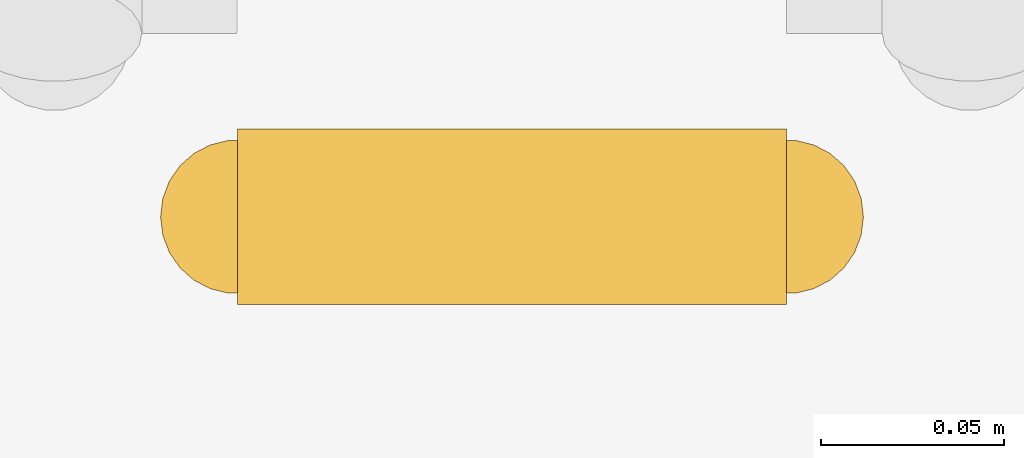
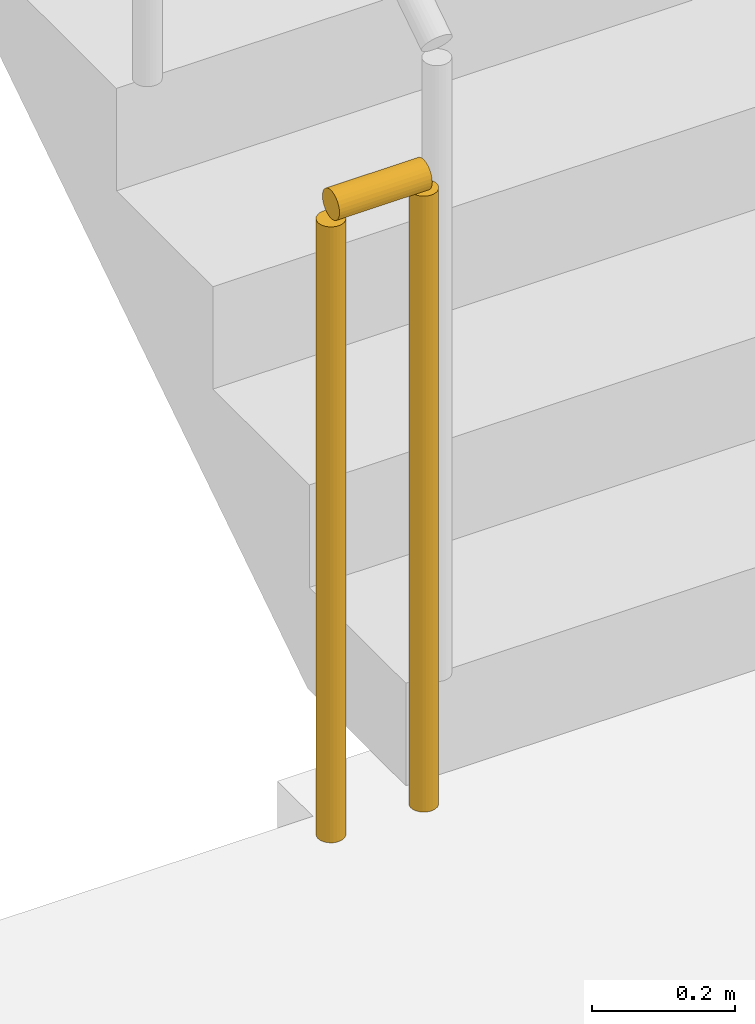
# One storey, part 15 of 20: 1 railing.
"""IFC4 building model written with IfcOpenShell, lengths in metres."""

from ifc_helpers import new_model, si_unit, direction, frame, origin, origin_2d, place, context, subcontext, project, spatial, circle, extrude, material, type_object, element, save


model = new_model("IFC4")

# Units and contexts
model_context = context("Model", 3, precision=1e-05, world=origin(), true_north=direction((0.0, 1.0)))
body_context = subcontext(model_context, "Body", "Model", "MODEL_VIEW")
ifc_project = project(units=[si_unit("LENGTHUNIT", "METRE"), si_unit("AREAUNIT", "SQUARE_METRE"), si_unit("VOLUMEUNIT", "CUBIC_METRE"), si_unit("PLANEANGLEUNIT", "RADIAN"), si_unit("MASSUNIT", "GRAM", prefix="KILO")], contexts=[model_context])

# Site, building, storey
site_placement = place(None, origin())
site = spatial("IfcSite", under=ifc_project, at=site_placement, CompositionType="ELEMENT")
building_placement = place(site_placement, origin())
building = spatial("IfcBuilding", under=site, at=building_placement, Name="Saffron Iwan Residences", CompositionType="ELEMENT")
storey_placement = place(building_placement, frame((0.0, 0.0, 153.5)))
storey = spatial("IfcBuildingStorey", under=building, at=storey_placement, Name="L40", CompositionType="ELEMENT", Elevation=153.5)

# Railing
ifc_material = material(Name="Steel S355", Category="steel")
railing_type = type_object("IfcRailingType", Name="Stair guard 1100", PredefinedType="GUARDRAIL", material=ifc_material)
railing_placement = place(storey_placement, frame((31.25, 67.800048828125, 0.0)))
element("IfcRailing", 1, at=railing_placement, inside=storey, type_object=railing_type, Name="L40 ST-W stair guard 2", PredefinedType="GUARDRAIL", context=body_context, shape_type="SweptSolid", body=[
    extrude(circle(Radius=0.02392578125, at=origin_2d()), frame((0.0, 0.0, 1.076171875), z_axis=(-1.0, 0.0, 0.0), x_axis=(0.0, -1.0, 0.0)), (0.0, 0.0, 1.0), 0.14990234375),
    extrude(circle(Radius=0.02099609375, at=origin_2d()), origin(), (0.0, 0.0, 1.0), 1.052001953125),
    extrude(circle(Radius=0.02099609375, at=origin_2d()), frame((-0.14990234375, 0.0, 0.0)), (0.0, 0.0, 1.0), 1.052001953125),
])

save(model, "model.ifc")
